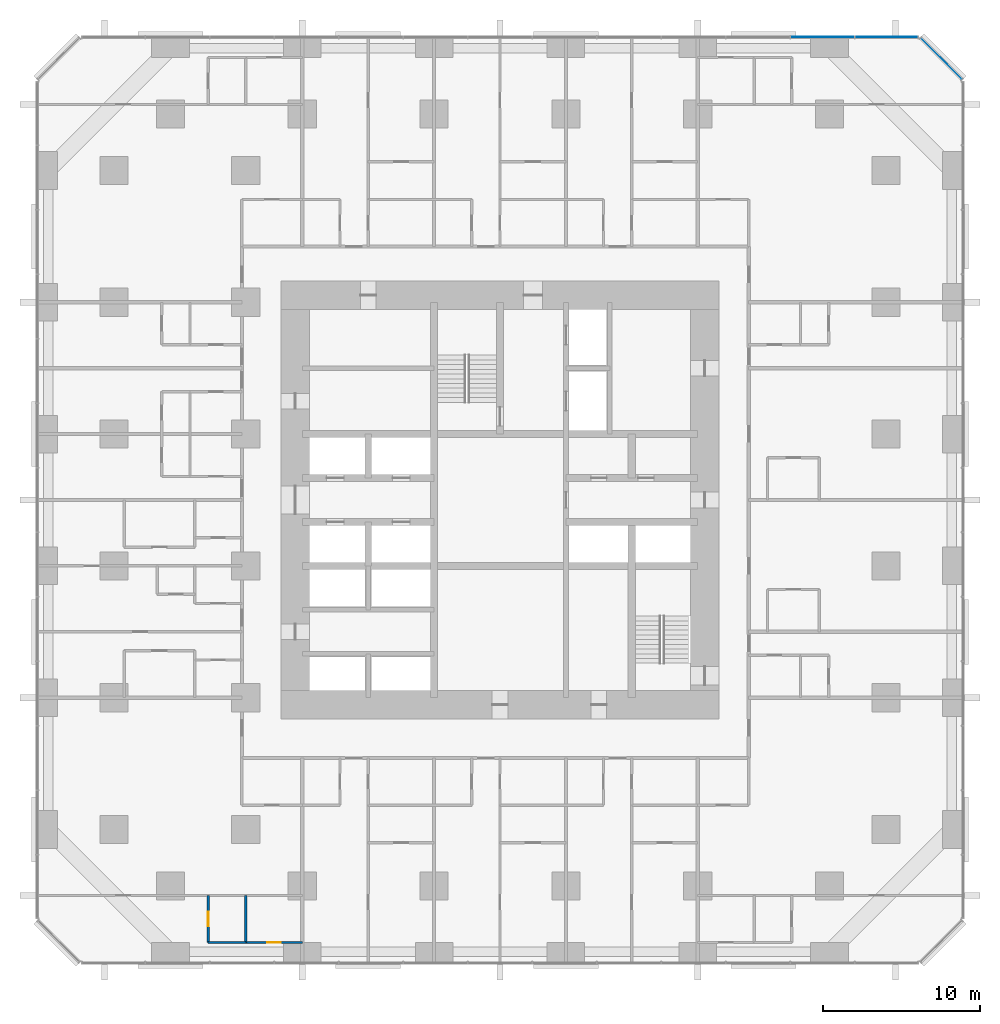
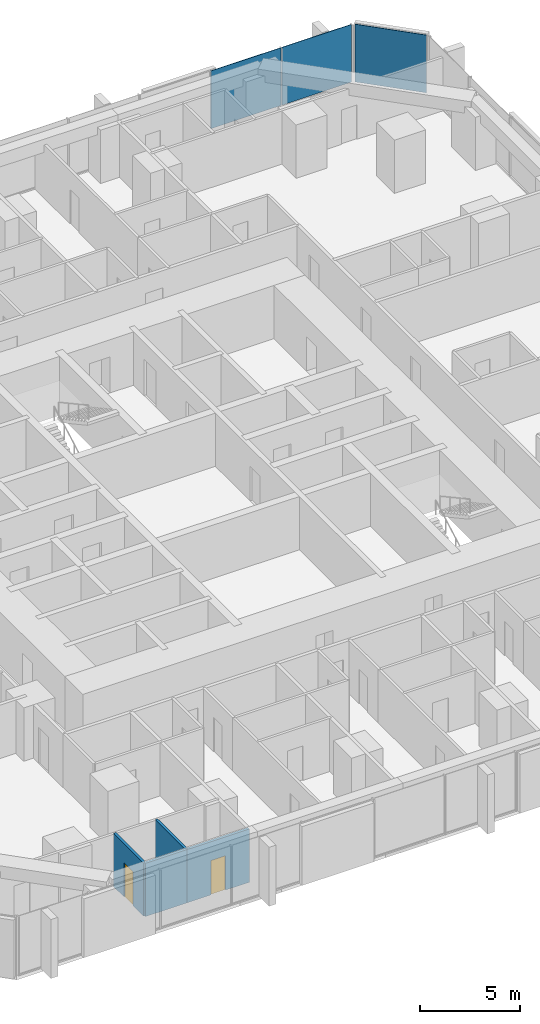
# One storey, part 10 of 17: 4 walls, 3 plates, 2 doors, 2 openings, 2 elements without a shape of their own.
"""IFC4 building model written with IfcOpenShell, lengths in metres."""

from ifc_helpers import new_model, si_unit, direction, frame, frame_2d, origin, origin_2d, place, context, subcontext, project, spatial, rectangle, extrude, material, layer, layer_set, type_object, element, fill, aggregate, save


model = new_model("IFC4")

# Units and contexts
model_context = context("Model", 3, precision=1e-05, world=origin(), true_north=direction((0.0, 1.0)))
body_context = subcontext(model_context, "Body", "Model", "MODEL_VIEW")
ifc_project = project(units=[si_unit("LENGTHUNIT", "METRE"), si_unit("AREAUNIT", "SQUARE_METRE"), si_unit("VOLUMEUNIT", "CUBIC_METRE"), si_unit("PLANEANGLEUNIT", "RADIAN"), si_unit("MASSUNIT", "GRAM", prefix="KILO")], contexts=[model_context])

# Site, building, storey
site_placement = place(None, origin())
site = spatial("IfcSite", under=ifc_project, at=site_placement, CompositionType="ELEMENT")
building_placement = place(site_placement, origin())
building = spatial("IfcBuilding", under=site, at=building_placement, Name="Dunama Terrace Hotel", CompositionType="ELEMENT")
storey_placement = place(building_placement, frame((0.0, 0.0, 45.0)))
storey = spatial("IfcBuildingStorey", under=building, at=storey_placement, Name="L10", CompositionType="ELEMENT", Elevation=45.0)

# Curtain wall, plates
ifc_material_1 = material(Name="Aluminium curtain wall system", Category="aluminium")
curtain_wall_type = type_object("IfcCurtainWallType", Name="Unitised fritted glass wall CW-A", PredefinedType="NOTDEFINED", material=ifc_material_1)
curtain_wall_1_placement = place(storey_placement, origin())
curtain_wall_1 = element("IfcCurtainWall", 1, at=curtain_wall_1_placement, inside=storey, type_object=curtain_wall_type, Name="Unitised fritted glass wall CW-A L10", PredefinedType="NOTDEFINED")
ifc_material_2 = material(Name="Laminated glass", Category="glass")
ifc_layer_1 = layer(ifc_material_2, 0.030029296875)
ifc_layer_set_1 = layer_set([ifc_layer_1], Name="CWA clear glass panel")
plate_type_1 = type_object("IfcPlateType", Name="CWA clear glass panel", PredefinedType="CURTAIN_PANEL", material=ifc_layer_set_1)
plate_1_placement = place(storey_placement, frame((49.93798828125, 58.89990234375, 0.074951171875), z_axis=(0.0, 0.0, 1.0), x_axis=(-1.0, 0.0, 0.0)))
plate_1 = element("IfcPlate", 2, at=plate_1_placement, type_object=plate_type_1, Name="CWA clear glass panel", PredefinedType="CURTAIN_PANEL", context=body_context, shape_type="SweptSolid", body=[
    extrude(rectangle(XDim=4.042724609375, YDim=0.030029296875, at=origin_2d()), origin(), (0.0, 0.0, 1.0), 3.52490234375),
])
ifc_material_3 = material(Name="Fritted laminated glass", Category="glass")
ifc_layer_2 = layer(ifc_material_3, 0.030029296875)
ifc_layer_set_2 = layer_set([ifc_layer_2], Name="CWA fritted glass panel")
plate_type_2 = type_object("IfcPlateType", Name="CWA fritted glass panel", PredefinedType="CURTAIN_PANEL", material=ifc_layer_set_2)
plate_2_placement = place(storey_placement, frame((54.030029296875, 58.89990234375, 0.074951171875), z_axis=(0.0, 0.0, 1.0), x_axis=(-1.0, 0.0, 0.0)))
plate_2 = element("IfcPlate", 3, at=plate_2_placement, type_object=plate_type_2, Name="CWA fritted glass panel", PredefinedType="CURTAIN_PANEL", context=body_context, shape_type="SweptSolid", body=[
    extrude(rectangle(XDim=4.01025390625, YDim=0.030029296875, at=origin_2d()), origin(), (0.0, 0.0, 1.0), 3.52490234375),
])
aggregate(curtain_wall_1, [plate_2, plate_1])

# Curtain wall, plate
curtain_wall_2_placement = place(storey_placement, origin())
curtain_wall_2 = element("IfcCurtainWall", 4, at=curtain_wall_2_placement, inside=storey, type_object=curtain_wall_type, Name="Unitised fritted glass wall CW-A L10", PredefinedType="NOTDEFINED")
ifc_material_4 = material(Name="Laminated glass", Category="glass")
ifc_layer_3 = layer(ifc_material_4, 0.030029296875)
ifc_layer_set_3 = layer_set([ifc_layer_3], Name="CWA operable glass panel")
plate_type_3 = type_object("IfcPlateType", Name="CWA operable glass panel", PredefinedType="CURTAIN_PANEL", material=ifc_layer_set_3)
plate_3_placement = place(storey_placement, frame((57.52099609375, 57.52099609375, 0.074951171875), z_axis=(0.0, 0.0, 1.0), x_axis=(-0.707106781187, 0.707106781187, 0.0)))
plate_3 = element("IfcPlate", 5, at=plate_3_placement, type_object=plate_type_3, Name="CWA operable glass panel", PredefinedType="CURTAIN_PANEL", context=body_context, shape_type="SweptSolid", body=[
    extrude(rectangle(XDim=3.6884765625, YDim=0.030029296875, at=origin_2d()), origin(), (0.0, 0.0, 1.0), 3.52490234375),
])
aggregate(curtain_wall_2, [plate_3])

# Wall, opening, door
ifc_material_5 = material(Name="Gypsum board partition", Category="masonry")
ifc_layer_4 = layer(ifc_material_5, 0.14990234375)
ifc_layer_set_4 = layer_set([ifc_layer_4], Name="Bathroom partition 150")
wall_type_1 = type_object("IfcWallType", Name="Bathroom partition 150", PredefinedType="PARTITIONING", material=ifc_layer_set_4)
wall_1_placement = place(storey_placement, frame((13.199951171875, 1.199951171875, 0.0), z_axis=(0.0, 0.0, 1.0), x_axis=(1.0, 0.0, 0.0)))
wall_1 = element("IfcWall", 6, at=wall_1_placement, inside=storey, type_object=wall_type_1, Name="Bathroom partition 150 L10", PredefinedType="PARTITIONING", context=body_context, shape_type="SweptSolid", body=[
    extrude(rectangle(XDim=3.60009765625, YDim=0.14990234375, at=frame_2d((1.800048828125, 0.0))), origin(), (0.0, 0.0, 1.0), 3.25),
])
opening_1_placement = place(wall_1_placement, frame((1.375, 0.0, 0.0)))
opening_1 = element("IfcOpeningElement", 7, at=opening_1_placement, cuts=wall_1, Name="Opening L10-11-070", PredefinedType="OPENING", context=body_context, shape_type="SweptSolid", body=[
    extrude(rectangle(XDim=0.85009765625, YDim=2.10009765625, at=frame_2d((0.425048828125, 1.050048828125))), frame((0.0, 0.0849609375, 0.0), z_axis=(0.0, -1.0, 0.0), x_axis=(1.0, 0.0, 0.0)), (0.0, 0.0, 1.0), 0.169921875),
])
ifc_material_6 = material(Name="Timber door with steel frame", Category="steel")
door_type_1 = type_object("IfcDoorType", Name="Bathroom door 850", OperationType="SINGLE_SWING_LEFT", PredefinedType="DOOR", material=ifc_material_6)
door_1_placement = place(opening_1_placement, origin())
door_1 = element("IfcDoor", 8, at=door_1_placement, inside=storey, type_object=door_type_1, Name="Door to en-suite bathroom L10-11-070, type D2", OperationType="SINGLE_SWING_RIGHT", OverallHeight=2.10009765625, OverallWidth=0.85009765625, PredefinedType="DOOR", context=body_context, shape_type="SweptSolid", body=[
    extrude(rectangle(XDim=0.85009765625, YDim=2.10009765625, at=frame_2d((0.425048828125, 1.050048828125))), frame((0.0, 0.02490234375, 0.0), z_axis=(0.0, -1.0, 0.0), x_axis=(1.0, 0.0, 0.0)), (0.0, 0.0, 1.0), 0.050048828125),
])
fill(opening_1, door_1)

ifc_material_7 = material(Name="Gypsum board partition", Category="masonry")
ifc_layer_5 = layer(ifc_material_7, 0.14990234375)
ifc_layer_set_5 = layer_set([ifc_layer_5], Name="Room partition 150")
wall_type_2 = type_object("IfcWallType", Name="Room partition 150", PredefinedType="PARTITIONING", material=ifc_layer_set_5)
wall_2_placement = place(storey_placement, frame((10.800048828125, 1.199951171875, 0.0), z_axis=(0.0, 0.0, 1.0), x_axis=(0.0, 1.0, 0.0)))
wall_2 = element("IfcWall", 9, at=wall_2_placement, inside=storey, type_object=wall_type_2, Name="Room partition 150 L10", PredefinedType="PARTITIONING", context=body_context, shape_type="SweptSolid", body=[
    extrude(rectangle(XDim=3.0, YDim=0.14990234375, at=frame_2d((1.5, 0.0))), origin(), (0.0, 0.0, 1.0), 3.25),
])
opening_2_placement = place(wall_2_placement, frame((1.050048828125, 0.0, 0.0)))
opening_2 = element("IfcOpeningElement", 10, at=opening_2_placement, cuts=wall_2, Name="Opening L10-11-071", PredefinedType="OPENING", context=body_context, shape_type="SweptSolid", body=[
    extrude(rectangle(XDim=0.89990234375, YDim=2.10009765625, at=frame_2d((0.449951171875, 1.050048828125))), frame((0.0, 0.0849609375, 0.0), z_axis=(0.0, -1.0, 0.0), x_axis=(1.0, 0.0, 0.0)), (0.0, 0.0, 1.0), 0.169921875),
])
ifc_material_8 = material(Name="Timber door with steel frame", Category="steel")
door_type_2 = type_object("IfcDoorType", Name="Suite internal door 900", OperationType="SINGLE_SWING_LEFT", PredefinedType="DOOR", material=ifc_material_8)
door_2_placement = place(opening_2_placement, frame((0.89990234375, 0.0, 0.0), z_axis=(0.0, 0.0, 1.0), x_axis=(-1.0, 0.0, 0.0)))
door_2 = element("IfcDoor", 11, at=door_2_placement, inside=storey, type_object=door_type_2, Name="Door to dressing room L10-11-071, type D16", OperationType="SINGLE_SWING_RIGHT", OverallHeight=2.10009765625, OverallWidth=0.89990234375, PredefinedType="DOOR", context=body_context, shape_type="SweptSolid", body=[
    extrude(rectangle(XDim=0.89990234375, YDim=2.10009765625, at=frame_2d((0.449951171875, 1.050048828125))), frame((0.0, 0.025146484375, 0.0), z_axis=(0.0, -1.0, 0.0), x_axis=(1.0, 0.0, 0.0)), (0.0, 0.0, 1.0), 0.050048828125),
])
fill(opening_2, door_2)

# Walls
wall_3_placement = place(storey_placement, frame((13.199951171875, 1.199951171875, 0.0), z_axis=(0.0, 0.0, 1.0), x_axis=(0.0, 1.0, 0.0)))
element("IfcWall", 12, at=wall_3_placement, inside=storey, type_object=wall_type_2, Name="Room partition 150 L10", PredefinedType="PARTITIONING", context=body_context, shape_type="SweptSolid", body=[
    extrude(rectangle(XDim=3.0, YDim=0.14990234375, at=frame_2d((1.5, 0.0))), origin(), (0.0, 0.0, 1.0), 3.25),
])
wall_4_placement = place(storey_placement, frame((10.800048828125, 1.199951171875, 0.0), z_axis=(0.0, 0.0, 1.0), x_axis=(1.0, 0.0, 0.0)))
element("IfcWall", 13, at=wall_4_placement, inside=storey, type_object=wall_type_2, Name="Room partition 150 L10", PredefinedType="PARTITIONING", context=body_context, shape_type="SweptSolid", body=[
    extrude(rectangle(XDim=2.39990234375, YDim=0.14990234375, at=frame_2d((1.199951171875, 0.0))), origin(), (0.0, 0.0, 1.0), 3.25),
])

save(model, "model.ifc")
